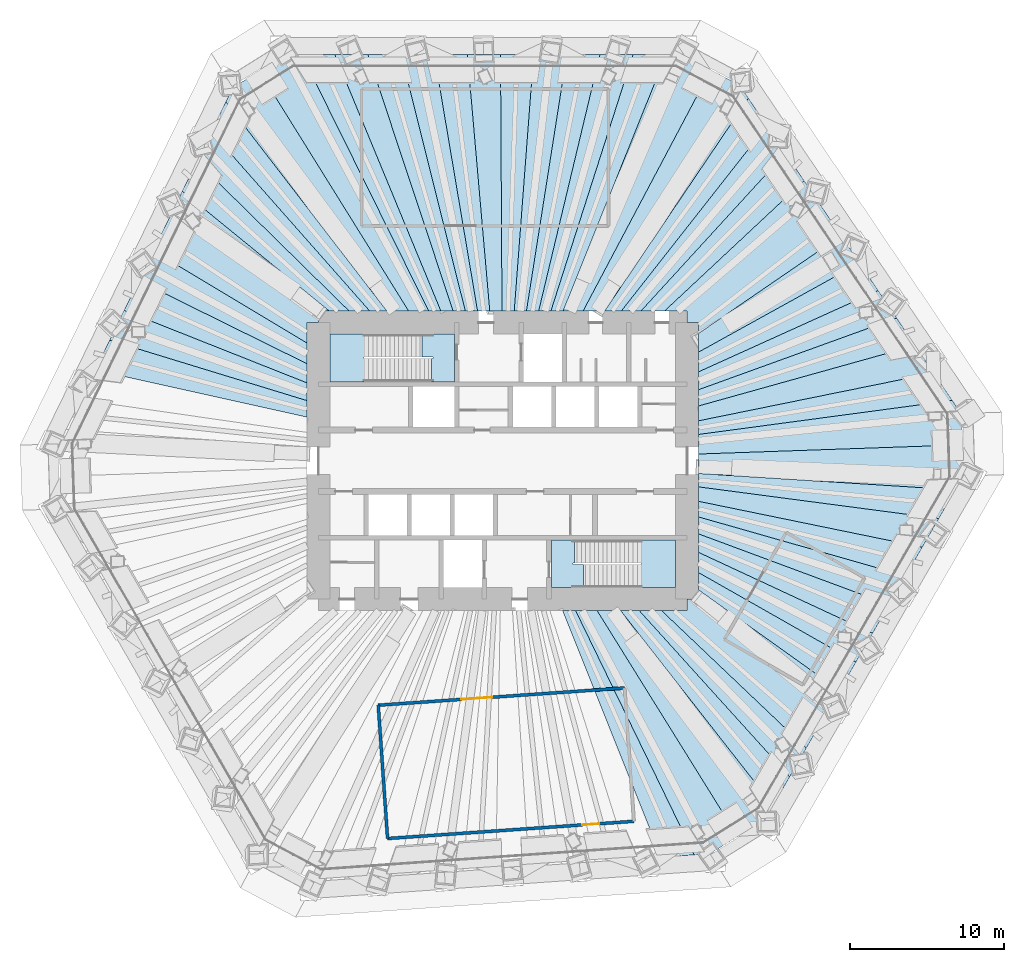
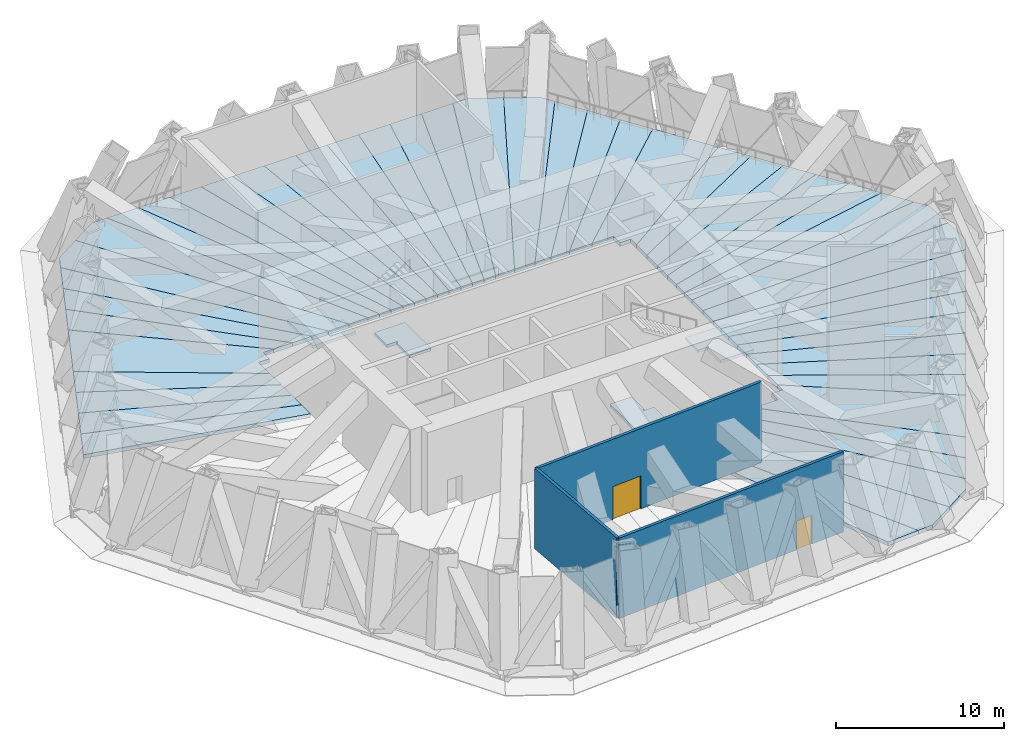
# One storey, part 6 of 12: 52 slabs, 3 walls, 2 doors, 2 openings, 2 elements without a shape of their own.
"""IFC4 building model written with IfcOpenShell, lengths in metres."""

import ifcopenshell
import ifcopenshell.guid

model = None  # the IFC model being written
_history = None  # IfcOwnerHistory: only IFC2X3 demands one
_inside = {}  # id of a spatial element -> (the spatial element, [elements in it])
_under = {}  # id of a project, library or spatial element -> (it, [spatial elements below it])
_declared = {}  # id of a project -> (the project, [libraries it declares])
_typed = {}  # id of a type object -> (the type object, [elements of that type])
_made_of = {}  # id of a material, layer set ... -> (it, [elements and type objects made of it])


def new_model(schema):
    """Start an empty IFC model of exactly this schema.

    Asked for "IFC4X3", IfcOpenShell would pick the latest addendum, in which some entities
    have other attributes; the version numbers below select the first issue.
    IFC2X3 requires an IfcOwnerHistory on every rooted entity: one is made here for all.
    """
    global model, _history
    if schema == "IFC4X3":
        model = ifcopenshell.file(schema_version=(4, 3, 0, 0))
    else:
        model = ifcopenshell.file(schema=schema)
    _inside.clear()
    _under.clear()
    _declared.clear()
    _typed.clear()
    _made_of.clear()
    _history = None
    if model.schema == "IFC2X3":
        org = make("IfcOrganization", Name="unknown")
        user = make(
            "IfcPersonAndOrganization",
            ThePerson=make("IfcPerson", FamilyName="unknown"),
            TheOrganization=org,
        )
        app = make(
            "IfcApplication",
            ApplicationDeveloper=org,
            Version="unknown",
            ApplicationFullName="unknown",
            ApplicationIdentifier="unknown",
        )
        _history = make(
            "IfcOwnerHistory",
            OwningUser=user,
            OwningApplication=app,
            ChangeAction="ADDED",
            CreationDate=0,
        )
    return model


def make(cls, **values):
    """One entity of the class cls with the attributes given. An attribute that is None is left unset."""
    return model.create_entity(
        cls, **{name: value for name, value in values.items() if value is not None}
    )


def rooted(cls, **values):
    """An entity with a GlobalId (a new one), such as an element, a storey or a relation."""
    return make(cls, GlobalId=ifcopenshell.guid.new(), OwnerHistory=_history, **values)


def si_unit(unit_type, name, prefix=None):
    """IfcSIUnit, for example si_unit("LENGTHUNIT", "METRE", prefix="MILLI")."""
    return make("IfcSIUnit", UnitType=unit_type, Prefix=prefix, Name=name)


def assignment(units):
    """IfcUnitAssignment: the units of a project."""
    return None if units is None else make("IfcUnitAssignment", Units=units)


def point(xyz):
    """IfcCartesianPoint."""
    return None if xyz is None else make("IfcCartesianPoint", Coordinates=xyz)


def direction(xyz):
    """IfcDirection."""
    return None if xyz is None else make("IfcDirection", DirectionRatios=xyz)


def frame(location, z_axis=None, x_axis=None):
    """IfcAxis2Placement3D, a coordinate frame: its origin and axes. An axis left out is left unset."""
    return make(
        "IfcAxis2Placement3D",
        Location=point(location),
        Axis=direction(z_axis),
        RefDirection=direction(x_axis),
    )


def frame_2d(location, x_axis=None):
    """IfcAxis2Placement2D, a coordinate frame in the plane: its origin and x axis."""
    return make(
        "IfcAxis2Placement2D", Location=point(location), RefDirection=direction(x_axis)
    )


def origin():
    """The frame at (0, 0, 0) with its axes left unset."""
    return frame((0.0, 0.0, 0.0))


def place(relative_to, where):
    """IfcLocalPlacement: puts the frame where relative to a parent placement (None: the world)."""
    return make(
        "IfcLocalPlacement", PlacementRelTo=relative_to, RelativePlacement=where
    )


def context(
    kind, dimensions, precision=None, world=None, true_north=None, identifier=None
):
    """IfcGeometricRepresentationContext, for example the 3D "Model" context."""
    return make(
        "IfcGeometricRepresentationContext",
        ContextIdentifier=identifier,
        ContextType=kind,
        CoordinateSpaceDimension=dimensions,
        Precision=precision,
        WorldCoordinateSystem=world,
        TrueNorth=true_north,
    )


def subcontext(parent, identifier, kind, view, scale=None):
    """IfcGeometricRepresentationSubContext, for example "Body" below "Model"."""
    return make(
        "IfcGeometricRepresentationSubContext",
        ContextIdentifier=identifier,
        ContextType=kind,
        ParentContext=parent,
        TargetScale=scale,
        TargetView=view,
    )


def project(units=None, contexts=None):
    """IfcProject with its units and contexts."""
    return rooted(
        "IfcProject",
        Name="project",
        RepresentationContexts=contexts,
        UnitsInContext=assignment(units),
    )


def spatial(cls, under=None, at=None, **own):
    """A site, building, storey or space (cls), placed at a placement, below another one or the project."""
    s = rooted(cls, ObjectPlacement=at, **own)
    if under is not None:
        _under.setdefault(under.id(), (under, []))[1].append(s)
    return s


def polyline(points):
    """IfcPolyline through the points."""
    return make("IfcPolyline", Points=[point(p) for p in points])


def profile(cls, at=None, kind="AREA", **sizes):
    """A parametric profile (cls). Its sizes go by their IFC names, for example OverallWidth=200.0."""
    return make(cls, ProfileType=kind, Position=at, **sizes)


def rectangle(**sizes):
    """IfcRectangleProfileDef."""
    return profile("IfcRectangleProfileDef", **sizes)


def outline(outer, holes=None, kind="AREA"):
    """IfcArbitraryClosedProfileDef: a profile drawn as a closed curve; with holes, ...WithVoids."""
    if holes is None:
        return make("IfcArbitraryClosedProfileDef", ProfileType=kind, OuterCurve=outer)
    return make(
        "IfcArbitraryProfileDefWithVoids",
        ProfileType=kind,
        OuterCurve=outer,
        InnerCurves=holes,
    )


def extrude(swept, where, along, depth):
    """IfcExtrudedAreaSolid: the profile swept, set in the frame where, extruded along a direction by depth."""
    return make(
        "IfcExtrudedAreaSolid",
        SweptArea=swept,
        Position=where,
        ExtrudedDirection=direction(along),
        Depth=depth,
    )


def shape(context_of_items, identifier, shape_type, items):
    """IfcShapeRepresentation: the items that make up one representation, for example the "Body"."""
    return make(
        "IfcShapeRepresentation",
        ContextOfItems=context_of_items,
        RepresentationIdentifier=identifier,
        RepresentationType=shape_type,
        Items=items,
    )


def material(Name=None, Category=None):
    """IfcMaterial."""
    return make("IfcMaterial", Name=Name, Category=Category)


def layer(
    of_material, thickness, ventilated=None, Name=None, Category=None, Priority=None
):
    """IfcMaterialLayer: one layer of a wall or slab, of a material (None: an air gap)."""
    return make(
        "IfcMaterialLayer",
        Material=of_material,
        LayerThickness=thickness,
        IsVentilated=ventilated,
        Name=Name,
        Category=Category,
        Priority=Priority,
    )


def layer_set(layers, Name=None):
    """IfcMaterialLayerSet."""
    return make("IfcMaterialLayerSet", MaterialLayers=layers, LayerSetName=Name)


def made_of(thing, what):
    """Note that an element or type object is made of a material, layer set ...; save() writes the relation."""
    if what is not None:
        _made_of.setdefault(what.id(), (what, []))[1].append(thing)
    return thing


def type_object(cls, material=None, **own):
    """A type object (cls), such as IfcWallType, which elements share."""
    return made_of(rooted(cls, **own), material)


def element(
    cls,
    number,
    at=None,
    inside=None,
    cuts=None,
    type_object=None,
    material=None,
    context=None,
    identifier="Body",
    shape_type=None,
    held_by="IfcProductDefinitionShape",
    body=None,
    shapes=None,
    **own,
):
    """One element of the class cls, such as IfcWall. Its Tag is "e" and its number.

    at: its placement. inside: the storey or other place that contains it. cuts: it is an
    opening in that element (IfcRelVoidsElement). A single representation is given by context,
    identifier, shape_type and body (its items); several are given by shapes. held_by: the class
    of the entity that holds the representations. save() writes the other relations.
    """
    e = rooted(cls, Tag="e%d" % number, ObjectPlacement=at, **own)
    if body is not None:
        shapes = [shape(context, identifier, shape_type, body)]
    if shapes is not None:
        e.Representation = make(held_by, Representations=shapes)
    if inside is not None:
        _inside.setdefault(inside.id(), (inside, []))[1].append(e)
    if cuts is not None:
        rooted(
            "IfcRelVoidsElement", RelatingBuildingElement=cuts, RelatedOpeningElement=e
        )
    if type_object is not None:
        _typed.setdefault(type_object.id(), (type_object, []))[1].append(e)
    return made_of(e, material)


def fill(opening, filler):
    """IfcRelFillsElement: the door or window that sits in an opening."""
    return rooted(
        "IfcRelFillsElement",
        RelatingOpeningElement=opening,
        RelatedBuildingElement=filler,
    )


def aggregate(whole, parts):
    """IfcRelAggregates: a whole, such as a stair, and the parts it consists of."""
    return rooted("IfcRelAggregates", RelatingObject=whole, RelatedObjects=parts)


def save(model, path):
    """Write the relations noted so far, then the file.

    IfcRelAggregates (storeys below a building ...), IfcRelContainedInSpatialStructure (elements
    in a storey), IfcRelDefinesByType, IfcRelAssociatesMaterial and IfcRelDeclares: one each for
    every whole, place, type object, material and project.
    """
    for whole, parts in _under.values():
        aggregate(whole, parts)
    for where, things in _inside.values():
        rooted(
            "IfcRelContainedInSpatialStructure",
            RelatedElements=things,
            RelatingStructure=where,
        )
    for kind, things in _typed.values():
        rooted("IfcRelDefinesByType", RelatedObjects=things, RelatingType=kind)
    for what, things in _made_of.values():
        rooted("IfcRelAssociatesMaterial", RelatedObjects=things, RelatingMaterial=what)
    for by, libraries in _declared.values():
        rooted("IfcRelDeclares", RelatingContext=by, RelatedDefinitions=libraries)
    model.write(path)


model = new_model("IFC4")

# Units and contexts
model_context = context("Model", 3, precision=1e-05, world=origin(), true_north=direction((0.0, 1.0)))
body_context = subcontext(model_context, "Body", "Model", "MODEL_VIEW")
ifc_project = project(units=[si_unit("LENGTHUNIT", "METRE"), si_unit("AREAUNIT", "SQUARE_METRE"), si_unit("VOLUMEUNIT", "CUBIC_METRE"), si_unit("PLANEANGLEUNIT", "RADIAN"), si_unit("MASSUNIT", "GRAM", prefix="KILO")], contexts=[model_context])

# Site, building, storey
site_placement = place(None, origin())
site = spatial("IfcSite", under=ifc_project, at=site_placement, CompositionType="ELEMENT")
building_placement = place(site_placement, origin())
building = spatial("IfcBuilding", under=site, at=building_placement, Name="Qingtian Harvest Tower", CompositionType="ELEMENT")
storey_placement = place(building_placement, frame((0.0, 0.0, 97.0)))
storey = spatial("IfcBuildingStorey", under=building, at=storey_placement, Name="L19", CompositionType="ELEMENT", Elevation=97.0)

# Slabs
ifc_material_1 = material(Name="Concrete fc' 35 MPa", Category="concrete")
ifc_layer_1 = layer(ifc_material_1, 0.280029296875)
ifc_layer_set_1 = layer_set([ifc_layer_1], Name="Composite floor slab FS28 280")
slab_type_1 = type_object("IfcSlabType", Name="Composite floor slab FS28 280", PredefinedType="FLOOR", material=ifc_layer_set_1)
slab_1_placement = place(storey_placement, frame((0.0, 0.0, -0.280029296875)))
element("IfcSlab", 1, at=slab_1_placement, inside=storey, type_object=slab_type_1, Name="Floor slab L19 panel D25", PredefinedType="FLOOR", context=body_context, shape_type="SweptSolid", body=[
    extrude(outline(polyline([(4.736083984375, -9.75), (12.455322265625, -25.648681640625), (10.302734375, -25.799072265625), (3.894775390625, -9.75), (4.736083984375, -9.75)])), origin(), (0.0, 0.0, 1.0), 0.280029296875),
])
slab_2_placement = place(storey_placement, frame((0.0, 0.0, -0.280029296875)))
element("IfcSlab", 2, at=slab_2_placement, inside=storey, type_object=slab_type_1, Name="Floor slab L19 panel D26", PredefinedType="FLOOR", context=body_context, shape_type="SweptSolid", body=[
    extrude(outline(polyline([(4.736083984375, -9.75), (6.136474609375, -9.75), (15.281494140625, -24.453125), (13.4833984375, -25.57666015625), (12.455322265625, -25.648681640625), (4.736083984375, -9.75)])), origin(), (0.0, 0.0, 1.0), 0.280029296875),
])
slab_3_placement = place(storey_placement, frame((0.0, 0.0, -0.280029296875)))
element("IfcSlab", 3, at=slab_3_placement, inside=storey, type_object=slab_type_1, Name="Floor slab L19 panel D27", PredefinedType="FLOOR", context=body_context, shape_type="SweptSolid", body=[
    extrude(outline(polyline([(6.136474609375, -9.75), (7.66748046875, -9.75), (17.593017578125, -22.437744140625), (17.07763671875, -23.330810546875), (15.281494140625, -24.453125), (6.136474609375, -9.75)])), origin(), (0.0, 0.0, 1.0), 0.280029296875),
])
slab_4_placement = place(storey_placement, frame((0.0, 0.0, -0.280029296875)))
element("IfcSlab", 4, at=slab_4_placement, inside=storey, type_object=slab_type_1, Name="Floor slab L19 panel D28", PredefinedType="FLOOR", context=body_context, shape_type="SweptSolid", body=[
    extrude(outline(polyline([(8.88037109375, -9.75), (18.672119140625, -20.56884765625), (17.593017578125, -22.437744140625), (7.66748046875, -9.75), (8.88037109375, -9.75)])), origin(), (0.0, 0.0, 1.0), 0.280029296875),
])
slab_5_placement = place(storey_placement, frame((0.0, 0.0, -0.280029296875)))
element("IfcSlab", 5, at=slab_5_placement, inside=storey, type_object=slab_type_1, Name="Floor slab L19 panel D29", PredefinedType="FLOOR", context=body_context, shape_type="SweptSolid", body=[
    extrude(outline(polyline([(10.337158203125, -9.75), (19.751220703125, -18.699951171875), (18.672119140625, -20.56884765625), (8.88037109375, -9.75), (10.337158203125, -9.75)])), origin(), (0.0, 0.0, 1.0), 0.280029296875),
])
slab_6_placement = place(storey_placement, frame((0.0, 0.0, -0.280029296875)))
element("IfcSlab", 6, at=slab_6_placement, inside=storey, type_object=slab_type_1, Name="Floor slab L19 panel D31", PredefinedType="FLOOR", context=body_context, shape_type="SweptSolid", body=[
    extrude(outline(polyline([(12.75, -8.4091796875), (21.914306640625, -14.95361328125), (19.751220703125, -18.699951171875), (10.337158203125, -9.75), (12.0, -9.75), (12.0, -9.0), (12.75, -9.0), (12.75, -8.4091796875)])), origin(), (0.0, 0.0, 1.0), 0.280029296875),
])
slab_7_placement = place(storey_placement, frame((0.0, 0.0, -0.280029296875)))
element("IfcSlab", 7, at=slab_7_placement, inside=storey, type_object=slab_type_1, Name="Floor slab L19 panel D32", PredefinedType="FLOOR", context=body_context, shape_type="SweptSolid", body=[
    extrude(outline(polyline([(12.75, -7.279052734375), (22.987060546875, -13.09521484375), (21.914306640625, -14.95361328125), (12.75, -8.4091796875), (12.75, -7.279052734375)])), origin(), (0.0, 0.0, 1.0), 0.280029296875),
])
slab_8_placement = place(storey_placement, frame((0.0, 0.0, -0.280029296875)))
element("IfcSlab", 8, at=slab_8_placement, inside=storey, type_object=slab_type_1, Name="Floor slab L19 panel D33", PredefinedType="FLOOR", context=body_context, shape_type="SweptSolid", body=[
    extrude(outline(polyline([(12.75, -5.96142578125), (24.06591796875, -11.226318359375), (22.987060546875, -13.09521484375), (12.75, -7.279052734375), (12.75, -5.96142578125)])), origin(), (0.0, 0.0, 1.0), 0.280029296875),
])
slab_9_placement = place(storey_placement, frame((0.0, 0.0, -0.280029296875)))
element("IfcSlab", 9, at=slab_9_placement, inside=storey, type_object=slab_type_1, Name="Floor slab L19 panel D34", PredefinedType="FLOOR", context=body_context, shape_type="SweptSolid", body=[
    extrude(outline(polyline([(12.75, -4.757080078125), (25.14501953125, -9.357666015625), (24.06591796875, -11.226318359375), (12.75, -5.96142578125), (12.75, -4.757080078125)])), origin(), (0.0, 0.0, 1.0), 0.280029296875),
])
slab_10_placement = place(storey_placement, frame((0.0, 0.0, -0.280029296875)))
element("IfcSlab", 10, at=slab_10_placement, inside=storey, type_object=slab_type_1, Name="Floor slab L19 panel D35", PredefinedType="FLOOR", context=body_context, shape_type="SweptSolid", body=[
    extrude(outline(polyline([(12.75, -3.651611328125), (26.223876953125, -7.48876953125), (25.14501953125, -9.357666015625), (12.75, -4.757080078125), (12.75, -3.651611328125)])), origin(), (0.0, 0.0, 1.0), 0.280029296875),
])
slab_11_placement = place(storey_placement, frame((0.0, 0.0, -0.280029296875)))
element("IfcSlab", 11, at=slab_11_placement, inside=storey, type_object=slab_type_1, Name="Floor slab L19 panel D36", PredefinedType="FLOOR", context=body_context, shape_type="SweptSolid", body=[
    extrude(outline(polyline([(12.75, -2.634033203125), (27.302978515625, -5.6201171875), (26.223876953125, -7.48876953125), (12.75, -3.651611328125), (12.75, -2.634033203125)])), origin(), (0.0, 0.0, 1.0), 0.280029296875),
])
slab_12_placement = place(storey_placement, frame((0.0, 0.0, -0.280029296875)))
element("IfcSlab", 12, at=slab_12_placement, inside=storey, type_object=slab_type_1, Name="Floor slab L19 panel D37", PredefinedType="FLOOR", context=body_context, shape_type="SweptSolid", body=[
    extrude(outline(polyline([(12.75, -1.693603515625), (28.3818359375, -3.751220703125), (27.302978515625, -5.6201171875), (12.75, -2.634033203125), (12.75, -1.693603515625)])), origin(), (0.0, 0.0, 1.0), 0.280029296875),
])
slab_13_placement = place(storey_placement, frame((0.0, 0.0, -0.280029296875)))
element("IfcSlab", 13, at=slab_13_placement, inside=storey, type_object=slab_type_1, Name="Floor slab L19 panel D38", PredefinedType="FLOOR", context=body_context, shape_type="SweptSolid", body=[
    extrude(outline(polyline([(12.75, -0.822265625), (29.460693359375, -1.882568359375), (28.3818359375, -3.751220703125), (12.75, -1.693603515625), (12.75, -0.822265625)])), origin(), (0.0, 0.0, 1.0), 0.280029296875),
])
slab_14_placement = place(storey_placement, frame((0.0, 0.0, -0.280029296875)))
element("IfcSlab", 14, at=slab_14_placement, inside=storey, type_object=slab_type_1, Name="Floor slab L19 panel D39", PredefinedType="FLOOR", context=body_context, shape_type="SweptSolid", body=[
    extrude(outline(polyline([(12.75, -0.822265625), (12.75, 0.447265625), (29.905029296875, 1.04443359375), (29.97607421875, -0.98974609375), (29.460693359375, -1.882568359375), (12.75, -0.822265625)])), origin(), (0.0, 0.0, 1.0), 0.280029296875),
])
slab_15_placement = place(storey_placement, frame((0.0, 0.0, -0.280029296875)))
element("IfcSlab", 15, at=slab_15_placement, inside=storey, type_object=slab_type_1, Name="Floor slab L19 panel D40", PredefinedType="FLOOR", context=body_context, shape_type="SweptSolid", body=[
    extrude(outline(polyline([(12.75, 0.447265625), (12.75, 1.72265625), (29.257568359375, 3.932861328125), (29.833984375, 3.078369140625), (29.905029296875, 1.04443359375), (12.75, 0.447265625)])), origin(), (0.0, 0.0, 1.0), 0.280029296875),
])
slab_16_placement = place(storey_placement, frame((0.0, 0.0, -0.280029296875)))
element("IfcSlab", 16, at=slab_16_placement, inside=storey, type_object=slab_type_1, Name="Floor slab L19 panel D41", PredefinedType="FLOOR", context=body_context, shape_type="SweptSolid", body=[
    extrude(outline(polyline([(12.75, 2.610595703125), (28.051025390625, 5.721923828125), (29.257568359375, 3.932861328125), (12.75, 1.72265625), (12.75, 2.610595703125)])), origin(), (0.0, 0.0, 1.0), 0.280029296875),
])
slab_17_placement = place(storey_placement, frame((0.0, 0.0, -0.280029296875)))
element("IfcSlab", 17, at=slab_17_placement, inside=storey, type_object=slab_type_1, Name="Floor slab L19 panel D42", PredefinedType="FLOOR", context=body_context, shape_type="SweptSolid", body=[
    extrude(outline(polyline([(12.75, 3.57861328125), (26.84423828125, 7.510986328125), (28.051025390625, 5.721923828125), (12.75, 2.610595703125), (12.75, 3.57861328125)])), origin(), (0.0, 0.0, 1.0), 0.280029296875),
])
slab_18_placement = place(storey_placement, frame((0.0, 0.0, -0.280029296875)))
element("IfcSlab", 18, at=slab_18_placement, inside=storey, type_object=slab_type_1, Name="Floor slab L19 panel D43", PredefinedType="FLOOR", context=body_context, shape_type="SweptSolid", body=[
    extrude(outline(polyline([(12.75, 4.6376953125), (25.6376953125, 9.2998046875), (26.84423828125, 7.510986328125), (12.75, 3.57861328125), (12.75, 4.6376953125)])), origin(), (0.0, 0.0, 1.0), 0.280029296875),
])
slab_19_placement = place(storey_placement, frame((0.0, 0.0, -0.280029296875)))
element("IfcSlab", 19, at=slab_19_placement, inside=storey, type_object=slab_type_1, Name="Floor slab L19 panel D44", PredefinedType="FLOOR", context=body_context, shape_type="SweptSolid", body=[
    extrude(outline(polyline([(12.75, 5.8017578125), (24.430908203125, 11.0888671875), (25.6376953125, 9.2998046875), (12.75, 4.6376953125), (12.75, 5.8017578125)])), origin(), (0.0, 0.0, 1.0), 0.280029296875),
])
slab_20_placement = place(storey_placement, frame((0.0, 0.0, -0.280029296875)))
element("IfcSlab", 20, at=slab_20_placement, inside=storey, type_object=slab_type_1, Name="Floor slab L19 panel D45", PredefinedType="FLOOR", context=body_context, shape_type="SweptSolid", body=[
    extrude(outline(polyline([(12.75, 7.087158203125), (23.22412109375, 12.8779296875), (24.430908203125, 11.0888671875), (12.75, 5.8017578125), (12.75, 7.087158203125)])), origin(), (0.0, 0.0, 1.0), 0.280029296875),
])
slab_21_placement = place(storey_placement, frame((0.0, 0.0, -0.280029296875)))
element("IfcSlab", 21, at=slab_21_placement, inside=storey, type_object=slab_type_1, Name="Floor slab L19 panel D46", PredefinedType="FLOOR", context=body_context, shape_type="SweptSolid", body=[
    extrude(outline(polyline([(12.75, 8.30615234375), (22.02197265625, 14.660400390625), (23.22412109375, 12.8779296875), (12.75, 7.087158203125), (12.75, 8.30615234375)])), origin(), (0.0, 0.0, 1.0), 0.280029296875),
])
slab_22_placement = place(storey_placement, frame((0.0, 0.0, -0.280029296875)))
element("IfcSlab", 22, at=slab_22_placement, inside=storey, type_object=slab_type_1, Name="Floor slab L19 panel D48", PredefinedType="FLOOR", context=body_context, shape_type="SweptSolid", body=[
    extrude(outline(polyline([(19.605224609375, 18.2431640625), (22.02197265625, 14.660400390625), (12.75, 8.30615234375), (12.75, 9.0), (12.0, 9.0), (12.0, 9.75), (10.51806640625, 9.75), (19.605224609375, 18.2431640625)])), origin(), (0.0, 0.0, 1.0), 0.280029296875),
])
slab_23_placement = place(storey_placement, frame((0.0, 0.0, -0.280029296875)))
element("IfcSlab", 23, at=slab_23_placement, inside=storey, type_object=slab_type_1, Name="Floor slab L19 panel D49", PredefinedType="FLOOR", context=body_context, shape_type="SweptSolid", body=[
    extrude(outline(polyline([(8.985107421875, 9.75), (18.3984375, 20.032470703125), (19.605224609375, 18.2431640625), (10.51806640625, 9.75), (8.985107421875, 9.75)])), origin(), (0.0, 0.0, 1.0), 0.280029296875),
])
slab_24_placement = place(storey_placement, frame((0.0, 0.0, -0.280029296875)))
element("IfcSlab", 24, at=slab_24_placement, inside=storey, type_object=slab_type_1, Name="Floor slab L19 panel D50", PredefinedType="FLOOR", context=body_context, shape_type="SweptSolid", body=[
    extrude(outline(polyline([(7.705078125, 9.75), (17.191650390625, 21.821533203125), (18.3984375, 20.032470703125), (8.985107421875, 9.75), (7.705078125, 9.75)])), origin(), (0.0, 0.0, 1.0), 0.280029296875),
])
slab_25_placement = place(storey_placement, frame((0.0, 0.0, -0.280029296875)))
element("IfcSlab", 25, at=slab_25_placement, inside=storey, type_object=slab_type_1, Name="Floor slab L19 panel D51", PredefinedType="FLOOR", context=body_context, shape_type="SweptSolid", body=[
    extrude(outline(polyline([(6.61962890625, 9.75), (15.985107421875, 23.610595703125), (17.191650390625, 21.821533203125), (7.705078125, 9.75), (6.61962890625, 9.75)])), origin(), (0.0, 0.0, 1.0), 0.280029296875),
])
slab_26_placement = place(storey_placement, frame((0.0, 0.0, -0.280029296875)))
element("IfcSlab", 26, at=slab_26_placement, inside=storey, type_object=slab_type_1, Name="Floor slab L19 panel D52", PredefinedType="FLOOR", context=body_context, shape_type="SweptSolid", body=[
    extrude(outline(polyline([(6.61962890625, 9.75), (5.21875, 9.75), (13.538330078125, 25.459716796875), (15.408447265625, 24.46533203125), (15.985107421875, 23.610595703125), (6.61962890625, 9.75)])), origin(), (0.0, 0.0, 1.0), 0.280029296875),
])
slab_27_placement = place(storey_placement, frame((0.0, 0.0, -0.280029296875)))
element("IfcSlab", 27, at=slab_27_placement, inside=storey, type_object=slab_type_1, Name="Floor slab L19 panel D53", PredefinedType="FLOOR", context=body_context, shape_type="SweptSolid", body=[
    extrude(outline(polyline([(3.919921875, 9.75), (10.635986328125, 26.455078125), (11.666259765625, 26.455078125), (13.538330078125, 25.459716796875), (5.21875, 9.75), (3.919921875, 9.75)])), origin(), (0.0, 0.0, 1.0), 0.280029296875),
])
slab_28_placement = place(storey_placement, frame((0.0, 0.0, -0.280029296875)))
element("IfcSlab", 28, at=slab_28_placement, inside=storey, type_object=slab_type_1, Name="Floor slab L19 panel D54", PredefinedType="FLOOR", context=body_context, shape_type="SweptSolid", body=[
    extrude(outline(polyline([(3.12451171875, 9.75), (8.47802734375, 26.455078125), (10.635986328125, 26.455078125), (3.919921875, 9.75), (3.12451171875, 9.75)])), origin(), (0.0, 0.0, 1.0), 0.280029296875),
])
slab_29_placement = place(storey_placement, frame((0.0, 0.0, -0.280029296875)))
element("IfcSlab", 29, at=slab_29_placement, inside=storey, type_object=slab_type_1, Name="Floor slab L19 panel D55", PredefinedType="FLOOR", context=body_context, shape_type="SweptSolid", body=[
    extrude(outline(polyline([(2.329345703125, 9.75), (6.3203125, 26.455078125), (8.47802734375, 26.455078125), (3.12451171875, 9.75), (2.329345703125, 9.75)])), origin(), (0.0, 0.0, 1.0), 0.280029296875),
])
slab_30_placement = place(storey_placement, frame((0.0, 0.0, -0.280029296875)))
element("IfcSlab", 30, at=slab_30_placement, inside=storey, type_object=slab_type_1, Name="Floor slab L19 panel D56", PredefinedType="FLOOR", context=body_context, shape_type="SweptSolid", body=[
    extrude(outline(polyline([(1.533935546875, 9.75), (4.162353515625, 26.455078125), (6.3203125, 26.455078125), (2.329345703125, 9.75), (1.533935546875, 9.75)])), origin(), (0.0, 0.0, 1.0), 0.280029296875),
])
slab_31_placement = place(storey_placement, frame((0.0, 0.0, -0.280029296875)))
element("IfcSlab", 31, at=slab_31_placement, inside=storey, type_object=slab_type_1, Name="Floor slab L19 panel D57", PredefinedType="FLOOR", context=body_context, shape_type="SweptSolid", body=[
    extrude(outline(polyline([(0.73876953125, 9.75), (2.00439453125, 26.455078125), (4.162353515625, 26.455078125), (1.533935546875, 9.75), (0.73876953125, 9.75)])), origin(), (0.0, 0.0, 1.0), 0.280029296875),
])
slab_32_placement = place(storey_placement, frame((0.0, 0.0, -0.280029296875)))
element("IfcSlab", 32, at=slab_32_placement, inside=storey, type_object=slab_type_1, Name="Floor slab L19 panel D58", PredefinedType="FLOOR", context=body_context, shape_type="SweptSolid", body=[
    extrude(outline(polyline([(-0.056396484375, 9.75), (-0.1533203125, 26.455078125), (2.00439453125, 26.455078125), (0.73876953125, 9.75), (-0.056396484375, 9.75)])), origin(), (0.0, 0.0, 1.0), 0.280029296875),
])
slab_33_placement = place(storey_placement, frame((0.0, 0.0, -0.280029296875)))
element("IfcSlab", 33, at=slab_33_placement, inside=storey, type_object=slab_type_1, Name="Floor slab L19 panel D59", PredefinedType="FLOOR", context=body_context, shape_type="SweptSolid", body=[
    extrude(outline(polyline([(-0.851806640625, 9.75), (-2.311279296875, 26.455078125), (-0.1533203125, 26.455078125), (-0.056396484375, 9.75), (-0.851806640625, 9.75)])), origin(), (0.0, 0.0, 1.0), 0.280029296875),
])
slab_34_placement = place(storey_placement, frame((0.0, 0.0, -0.280029296875)))
element("IfcSlab", 34, at=slab_34_placement, inside=storey, type_object=slab_type_1, Name="Floor slab L19 panel D60", PredefinedType="FLOOR", context=body_context, shape_type="SweptSolid", body=[
    extrude(outline(polyline([(-1.64697265625, 9.75), (-4.468994140625, 26.455078125), (-2.311279296875, 26.455078125), (-0.851806640625, 9.75), (-1.64697265625, 9.75)])), origin(), (0.0, 0.0, 1.0), 0.280029296875),
])
slab_35_placement = place(storey_placement, frame((0.0, 0.0, -0.280029296875)))
element("IfcSlab", 35, at=slab_35_placement, inside=storey, type_object=slab_type_1, Name="Floor slab L19 panel D61", PredefinedType="FLOOR", context=body_context, shape_type="SweptSolid", body=[
    extrude(outline(polyline([(-2.4423828125, 9.75), (-6.626953125, 26.455078125), (-4.468994140625, 26.455078125), (-1.64697265625, 9.75), (-2.4423828125, 9.75)])), origin(), (0.0, 0.0, 1.0), 0.280029296875),
])
slab_36_placement = place(storey_placement, frame((0.0, 0.0, -0.280029296875)))
element("IfcSlab", 36, at=slab_36_placement, inside=storey, type_object=slab_type_1, Name="Floor slab L19 panel D62", PredefinedType="FLOOR", context=body_context, shape_type="SweptSolid", body=[
    extrude(outline(polyline([(-3.237548828125, 9.75), (-8.78466796875, 26.455078125), (-6.626953125, 26.455078125), (-2.4423828125, 9.75), (-3.237548828125, 9.75)])), origin(), (0.0, 0.0, 1.0), 0.280029296875),
])
slab_37_placement = place(storey_placement, frame((0.0, 0.0, -0.280029296875)))
element("IfcSlab", 37, at=slab_37_placement, inside=storey, type_object=slab_type_1, Name="Floor slab L19 panel D63", PredefinedType="FLOOR", context=body_context, shape_type="SweptSolid", body=[
    extrude(outline(polyline([(-4.032958984375, 9.75), (-10.942626953125, 26.455078125), (-8.78466796875, 26.455078125), (-3.237548828125, 9.75), (-4.032958984375, 9.75)])), origin(), (0.0, 0.0, 1.0), 0.280029296875),
])
slab_38_placement = place(storey_placement, frame((0.0, 0.0, -0.280029296875)))
element("IfcSlab", 38, at=slab_38_placement, inside=storey, type_object=slab_type_1, Name="Floor slab L19 panel D64", PredefinedType="FLOOR", context=body_context, shape_type="SweptSolid", body=[
    extrude(outline(polyline([(-4.828125, 9.75), (-13.100341796875, 26.455078125), (-10.942626953125, 26.455078125), (-4.032958984375, 9.75), (-4.828125, 9.75)])), origin(), (0.0, 0.0, 1.0), 0.280029296875),
])
slab_39_placement = place(storey_placement, frame((0.0, 0.0, -0.280029296875)))
element("IfcSlab", 39, at=slab_39_placement, inside=storey, type_object=slab_type_1, Name="Floor slab L19 panel D65", PredefinedType="FLOOR", context=body_context, shape_type="SweptSolid", body=[
    extrude(outline(polyline([(-4.828125, 9.75), (-6.130126953125, 9.75), (-15.85791015625, 25.3759765625), (-14.130859375, 26.455078125), (-13.100341796875, 26.455078125), (-4.828125, 9.75)])), origin(), (0.0, 0.0, 1.0), 0.280029296875),
])
slab_40_placement = place(storey_placement, frame((0.0, 0.0, -0.280029296875)))
element("IfcSlab", 40, at=slab_40_placement, inside=storey, type_object=slab_type_1, Name="Floor slab L19 panel D66", PredefinedType="FLOOR", context=body_context, shape_type="SweptSolid", body=[
    extrude(outline(polyline([(-6.130126953125, 9.75), (-7.544677734375, 9.75), (-18.034912109375, 23.37109375), (-17.5830078125, 24.2978515625), (-15.85791015625, 25.3759765625), (-6.130126953125, 9.75)])), origin(), (0.0, 0.0, 1.0), 0.280029296875),
])
slab_41_placement = place(storey_placement, frame((0.0, 0.0, -0.280029296875)))
element("IfcSlab", 41, at=slab_41_placement, inside=storey, type_object=slab_type_1, Name="Floor slab L19 panel D67", PredefinedType="FLOOR", context=body_context, shape_type="SweptSolid", body=[
    extrude(outline(polyline([(-8.662109375, 9.75), (-18.98095703125, 21.431396484375), (-18.034912109375, 23.37109375), (-7.544677734375, 9.75), (-8.662109375, 9.75)])), origin(), (0.0, 0.0, 1.0), 0.280029296875),
])
slab_42_placement = place(storey_placement, frame((0.0, 0.0, -0.280029296875)))
element("IfcSlab", 42, at=slab_42_placement, inside=storey, type_object=slab_type_1, Name="Floor slab L19 panel D68", PredefinedType="FLOOR", context=body_context, shape_type="SweptSolid", body=[
    extrude(outline(polyline([(-10.00341796875, 9.75), (-19.927001953125, 19.491943359375), (-18.98095703125, 21.431396484375), (-8.662109375, 9.75), (-10.00341796875, 9.75)])), origin(), (0.0, 0.0, 1.0), 0.280029296875),
])
slab_43_placement = place(storey_placement, frame((0.0, 0.0, -0.280029296875)))
element("IfcSlab", 43, at=slab_43_placement, inside=storey, type_object=slab_type_1, Name="Floor slab L19 panel D69", PredefinedType="FLOOR", context=body_context, shape_type="SweptSolid", body=[
    extrude(outline(polyline([(-11.2939453125, 9.75), (-20.868896484375, 17.56103515625), (-19.927001953125, 19.491943359375), (-10.00341796875, 9.75), (-11.2939453125, 9.75)])), origin(), (0.0, 0.0, 1.0), 0.280029296875),
])
slab_44_placement = place(storey_placement, frame((0.0, 0.0, -0.280029296875)))
element("IfcSlab", 44, at=slab_44_placement, inside=storey, type_object=slab_type_1, Name="Floor slab L19 panel D70", PredefinedType="FLOOR", context=body_context, shape_type="SweptSolid", body=[
    extrude(outline(polyline([(-12.0, 9.0), (-12.75, 9.0), (-12.75, 7.67333984375), (-22.76416015625, 13.6748046875), (-20.868896484375, 17.56103515625), (-11.2939453125, 9.75), (-12.0, 9.75), (-12.0, 9.0)])), origin(), (0.0, 0.0, 1.0), 0.280029296875),
])
slab_45_placement = place(storey_placement, frame((0.0, 0.0, -0.280029296875)))
element("IfcSlab", 45, at=slab_45_placement, inside=storey, type_object=slab_type_1, Name="Floor slab L19 panel D72", PredefinedType="FLOOR", context=body_context, shape_type="SweptSolid", body=[
    extrude(outline(polyline([(-12.75, 6.3232421875), (-23.710205078125, 11.7353515625), (-22.76416015625, 13.6748046875), (-12.75, 7.67333984375), (-12.75, 6.3232421875)])), origin(), (0.0, 0.0, 1.0), 0.280029296875),
])
slab_46_placement = place(storey_placement, frame((0.0, 0.0, -0.280029296875)))
element("IfcSlab", 46, at=slab_46_placement, inside=storey, type_object=slab_type_1, Name="Floor slab L19 panel D73", PredefinedType="FLOOR", context=body_context, shape_type="SweptSolid", body=[
    extrude(outline(polyline([(-12.75, 5.076904296875), (-24.656005859375, 9.7958984375), (-23.710205078125, 11.7353515625), (-12.75, 6.3232421875), (-12.75, 5.076904296875)])), origin(), (0.0, 0.0, 1.0), 0.280029296875),
])
slab_47_placement = place(storey_placement, frame((0.0, 0.0, -0.280029296875)))
element("IfcSlab", 47, at=slab_47_placement, inside=storey, type_object=slab_type_1, Name="Floor slab L19 panel D74", PredefinedType="FLOOR", context=body_context, shape_type="SweptSolid", body=[
    extrude(outline(polyline([(-12.75, 3.922607421875), (-25.60205078125, 7.8564453125), (-24.656005859375, 9.7958984375), (-12.75, 5.076904296875), (-12.75, 3.922607421875)])), origin(), (0.0, 0.0, 1.0), 0.280029296875),
])
slab_48_placement = place(storey_placement, frame((0.0, 0.0, -0.280029296875)))
element("IfcSlab", 48, at=slab_48_placement, inside=storey, type_object=slab_type_1, Name="Floor slab L19 panel D75", PredefinedType="FLOOR", context=body_context, shape_type="SweptSolid", body=[
    extrude(outline(polyline([(-12.75, 2.8505859375), (-26.548095703125, 5.916748046875), (-25.60205078125, 7.8564453125), (-12.75, 3.922607421875), (-12.75, 2.8505859375)])), origin(), (0.0, 0.0, 1.0), 0.280029296875),
])

# Stair, slabs
ifc_material_2 = material(Name="Concrete fc' 35 MPa", Category="concrete")
stair_type = type_object("IfcStairType", Name="Special stair ST1 6000", PredefinedType="HALF_TURN_STAIR", material=ifc_material_2)
stair_1_placement = place(storey_placement, origin())
stair_1 = element("IfcStair", 49, at=stair_1_placement, inside=storey, type_object=stair_type, Name="Special stair S1 L19", PredefinedType="HALF_TURN_STAIR")
ifc_material_3 = material(Name="Concrete fc' 35 MPa", Category="concrete")
ifc_layer_2 = layer(ifc_material_3, 0.199951171875)
ifc_layer_set_2 = layer_set([ifc_layer_2], Name="Stair landing SL2 200")
slab_type_2 = type_object("IfcSlabType", Name="Stair landing SL2 200", PredefinedType="LANDING", material=ifc_layer_set_2)
slab_49_placement = place(storey_placement, frame((0.0, 0.0, -0.199951171875)))
slab_49 = element("IfcSlab", 50, at=slab_49_placement, type_object=slab_type_2, Name="S1 landing 1", PredefinedType="LANDING", context=body_context, shape_type="SweptSolid", body=[
    extrude(outline(polyline([(-4.64990234375, 5.14990234375), (-4.64990234375, 6.64990234375), (-4.550048828125, 6.64990234375), (-4.550048828125, 6.75), (-5.260009765625, 6.75), (-5.260009765625, 8.25), (-3.14990234375, 8.25), (-3.14990234375, 5.14990234375), (-4.64990234375, 5.14990234375)])), origin(), (0.0, 0.0, 1.0), 0.199951171875),
])
slab_50_placement = place(storey_placement, frame((0.0, 0.0, 2.800048828125)))
slab_50 = element("IfcSlab", 51, at=slab_50_placement, type_object=slab_type_2, Name="S1 landing 2", PredefinedType="LANDING", context=body_context, shape_type="SweptSolid", body=[
    extrude(outline(polyline([(-8.320068359375, 5.14990234375), (-11.25, 5.14990234375), (-11.25, 8.25), (-8.929931640625, 8.25), (-8.929931640625, 6.75), (-9.030029296875, 6.75), (-9.030029296875, 6.64990234375), (-8.320068359375, 6.64990234375), (-8.320068359375, 5.14990234375)])), origin(), (0.0, 0.0, 1.0), 0.199951171875),
])
aggregate(stair_1, [slab_49, slab_50])

stair_2_placement = place(storey_placement, origin())
stair_2 = element("IfcStair", 52, at=stair_2_placement, inside=storey, type_object=stair_type, Name="Special stair S2 L19", PredefinedType="HALF_TURN_STAIR")
slab_51_placement = place(storey_placement, frame((0.0, 0.0, -0.199951171875)))
slab_51 = element("IfcSlab", 53, at=slab_51_placement, type_object=slab_type_2, Name="S2 landing 1", PredefinedType="LANDING", context=body_context, shape_type="SweptSolid", body=[
    extrude(outline(polyline([(5.260009765625, -8.25), (3.14990234375, -8.25), (3.14990234375, -5.14990234375), (4.64990234375, -5.14990234375), (4.64990234375, -6.64990234375), (4.550048828125, -6.64990234375), (4.550048828125, -6.75), (5.260009765625, -6.75), (5.260009765625, -8.25)])), origin(), (0.0, 0.0, 1.0), 0.199951171875),
])
slab_52_placement = place(storey_placement, frame((0.0, 0.0, 2.800048828125)))
slab_52 = element("IfcSlab", 54, at=slab_52_placement, type_object=slab_type_2, Name="S2 landing 2", PredefinedType="LANDING", context=body_context, shape_type="SweptSolid", body=[
    extrude(outline(polyline([(8.929931640625, -8.25), (8.929931640625, -6.75), (9.030029296875, -6.75), (9.030029296875, -6.64990234375), (8.320068359375, -6.64990234375), (8.320068359375, -5.14990234375), (11.25, -5.14990234375), (11.25, -8.25), (8.929931640625, -8.25)])), origin(), (0.0, 0.0, 1.0), 0.199951171875),
])
aggregate(stair_2, [slab_51, slab_52])

# Wall
ifc_material_4 = material(Name="Blockwork fire wall", Category="masonry")
ifc_layer_3 = layer(ifc_material_4, 0.199951171875)
ifc_layer_set_3 = layer_set([ifc_layer_3], Name="Fire partition FW1 200")
wall_type = type_object("IfcWallType", Name="Fire partition FW1 200", PredefinedType="PARTITIONING", material=ifc_layer_set_3)
wall_1_placement = place(storey_placement, frame((-7.506103515625, -24.58349609375, 0.0), z_axis=(0.0, 0.0, 1.0), x_axis=(-0.069763223123, 0.997563578274, 0.0)))
element("IfcWall", 55, at=wall_1_placement, inside=storey, type_object=wall_type, Name="Mechanical plant room wall L19", PredefinedType="PARTITIONING", context=body_context, shape_type="SweptSolid", body=[
    extrude(rectangle(XDim=8.699951171875, YDim=0.199951171875, at=frame_2d((4.35009765625, 0.0))), origin(), (0.0, 0.0, 1.0), 5.830078125),
])

# Wall, opening, door
wall_2_placement = place(storey_placement, frame((7.924072265625, -14.783203125, 0.0), z_axis=(0.0, 0.0, 1.0), x_axis=(-0.997563365873, -0.069766260243, 0.0)))
wall_2 = element("IfcWall", 56, at=wall_2_placement, inside=storey, type_object=wall_type, Name="Mechanical plant room wall L19", PredefinedType="PARTITIONING", context=body_context, shape_type="SweptSolid", body=[
    extrude(rectangle(XDim=16.076171875, YDim=0.199951171875, at=frame_2d((8.0380859375, 0.0))), origin(), (0.0, 0.0, 1.0), 5.830078125),
])
opening_1_placement = place(wall_2_placement, frame((8.645751953125, 0.0, 0.0)))
opening_1 = element("IfcOpeningElement", 57, at=opening_1_placement, cuts=wall_2, Name="Opening FD3", PredefinedType="OPENING", context=body_context, shape_type="SweptSolid", body=[
    extrude(rectangle(XDim=2.0, YDim=2.39990234375, at=frame_2d((1.0, 1.199951171875))), frame((0.0, 0.10986328125, 0.0), z_axis=(0.0, -1.0, 0.0), x_axis=(1.0, 0.0, 0.0)), (0.0, 0.0, 1.0), 0.219970703125),
])
ifc_material_5 = material(Name="Steel-faced door leaf", Category="steel")
door_type_1 = type_object("IfcDoorType", Name="Fire door FD3 double 2 HR", OperationType="DOUBLE_DOOR_DOUBLE_SWING", PredefinedType="DOOR", material=ifc_material_5)
door_1_placement = place(opening_1_placement, origin())
door_1 = element("IfcDoor", 58, at=door_1_placement, inside=storey, type_object=door_type_1, Name="Mechanical plant room door L19", OperationType="DOUBLE_DOOR_DOUBLE_SWING", OverallHeight=2.39990234375, OverallWidth=2.0, PredefinedType="DOOR", context=body_context, shape_type="SweptSolid", body=[
    extrude(rectangle(XDim=2.0, YDim=2.39990234375, at=frame_2d((1.0, 1.199951171875))), frame((0.0, 0.02490234375, 0.0), z_axis=(0.0, -1.0, 0.0), x_axis=(1.0, 0.0, 0.0)), (0.0, 0.0, 1.0), 0.050048828125),
])
fill(opening_1, door_1)

wall_3_placement = place(storey_placement, frame((8.531005859375, -23.462158203125, 0.0), z_axis=(0.0, 0.0, 1.0), x_axis=(-0.997564422675, -0.069751147749, 0.0)))
wall_3 = element("IfcWall", 59, at=wall_3_placement, inside=storey, type_object=wall_type, Name="Mechanical plant room roof access wall L19", PredefinedType="PARTITIONING", context=body_context, shape_type="SweptSolid", body=[
    extrude(rectangle(XDim=16.076171875, YDim=0.199951171875, at=frame_2d((8.0380859375, 0.0))), origin(), (0.0, 0.0, 1.0), 5.830078125),
])
opening_2_placement = place(wall_3_placement, frame((2.263427734375, 0.0, 0.0)))
opening_2 = element("IfcOpeningElement", 60, at=opening_2_placement, cuts=wall_3, Name="Opening FD4", PredefinedType="OPENING", context=body_context, shape_type="SweptSolid", body=[
    extrude(rectangle(XDim=1.10009765625, YDim=2.10009765625, at=frame_2d((0.550048828125, 1.050048828125))), frame((0.0, 0.10986328125, 0.0), z_axis=(0.0, -1.0, 0.0), x_axis=(1.0, 0.0, 0.0)), (0.0, 0.0, 1.0), 0.219970703125),
])
ifc_material_6 = material(Name="Steel-faced door leaf", Category="steel")
door_type_2 = type_object("IfcDoorType", Name="Fire door FD4 single 2 HR", OperationType="SINGLE_SWING_LEFT", PredefinedType="DOOR", material=ifc_material_6)
door_2_placement = place(opening_2_placement, origin())
door_2 = element("IfcDoor", 61, at=door_2_placement, inside=storey, type_object=door_type_2, Name="Roof access door L19", OperationType="SINGLE_SWING_LEFT", OverallHeight=2.10009765625, OverallWidth=1.10009765625, PredefinedType="DOOR", context=body_context, shape_type="SweptSolid", body=[
    extrude(rectangle(XDim=1.10009765625, YDim=2.10009765625, at=frame_2d((0.550048828125, 1.050048828125))), frame((0.0, 0.02490234375, 0.0), z_axis=(0.0, -1.0, 0.0), x_axis=(1.0, 0.0, 0.0)), (0.0, 0.0, 1.0), 0.050048828125),
])
fill(opening_2, door_2)

save(model, "model.ifc")
